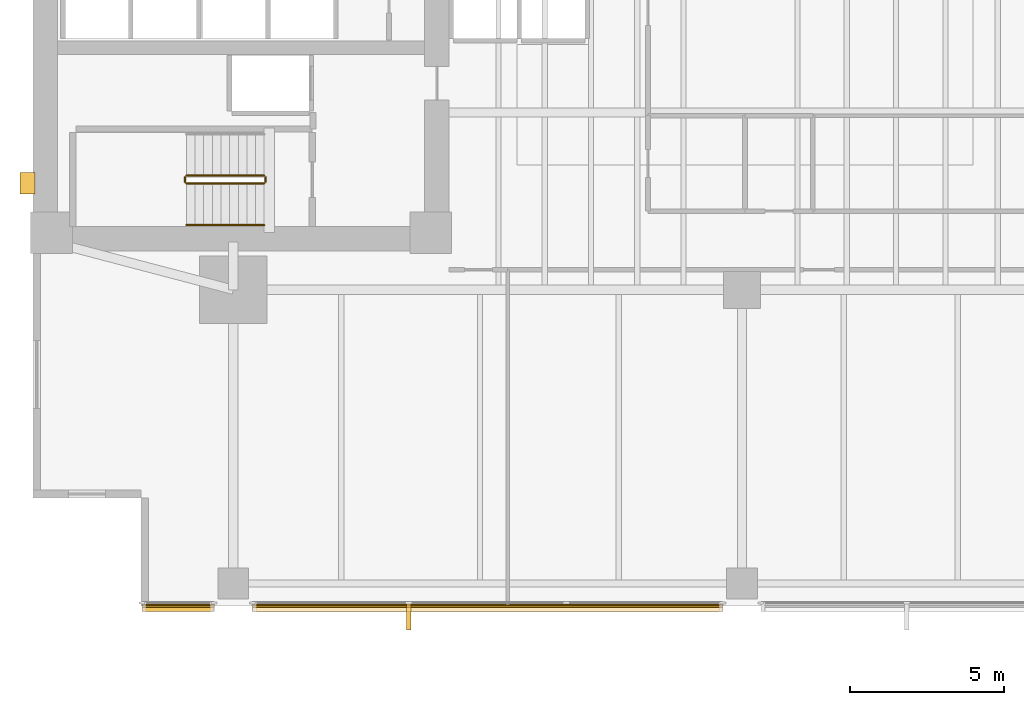
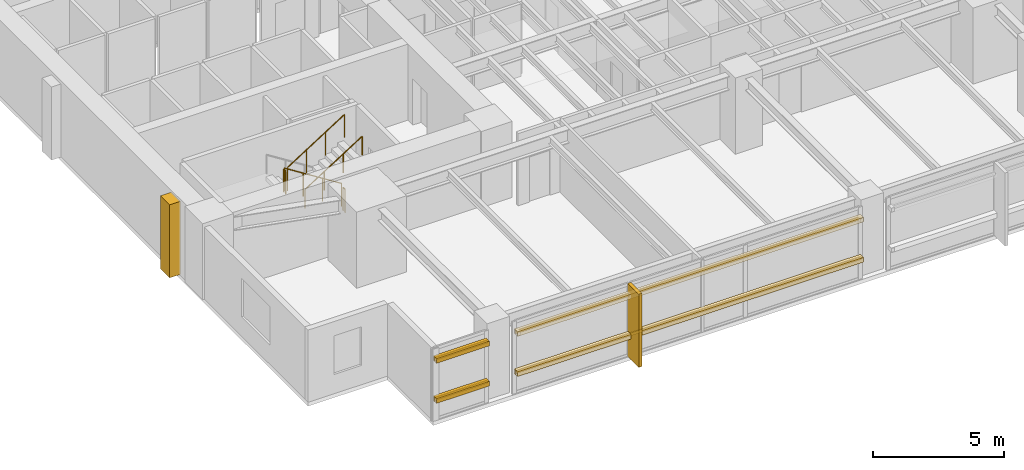
# One storey, part 12 of 15: 6 coverings, 5 railings, 4 shading devices.
"""IFC4 building model written with IfcOpenShell, lengths in metres."""

from ifc_helpers import new_model, si_unit, direction, frame, origin, origin_2d, place, context, subcontext, project, spatial, polyline, rectangle, circle, outline, extrude, material, layer, layer_set, material_profile, profile_set, type_object, element, save


model = new_model("IFC4")

# Units and contexts
model_context = context("Model", 3, precision=1e-05, world=origin(), true_north=direction((0.0, 1.0)))
body_context = subcontext(model_context, "Body", "Model", "MODEL_VIEW")
ifc_project = project(units=[si_unit("LENGTHUNIT", "METRE"), si_unit("AREAUNIT", "SQUARE_METRE"), si_unit("VOLUMEUNIT", "CUBIC_METRE"), si_unit("PLANEANGLEUNIT", "RADIAN"), si_unit("MASSUNIT", "GRAM", prefix="KILO")], contexts=[model_context])

# Site, building, storey
site_placement = place(None, origin())
site = spatial("IfcSite", under=ifc_project, at=site_placement, CompositionType="ELEMENT")
building_placement = place(site_placement, origin())
building = spatial("IfcBuilding", under=site, at=building_placement, Name="Kinhvarn Gate Tower", CompositionType="ELEMENT")
storey_placement = place(building_placement, frame((0.0, 0.0, 54.0)))
storey = spatial("IfcBuildingStorey", under=building, at=storey_placement, Name="L13", CompositionType="ELEMENT", Elevation=54.0)

# Coverings
ifc_material_1 = material(Name="Fired architectural terracotta", Category="masonry")
ifc_layer_1 = layer(ifc_material_1, 0.239990234375)
ifc_layer_set_1 = layer_set([ifc_layer_1], Name="Fired architectural terracotta")
covering_type_1 = type_object("IfcCoveringType", Name="COV-BAG-220", PredefinedType="CLADDING", material=ifc_layer_set_1)
for number, where, name in (
    (1, (0.0, 0.0, 0.93994140625), "Terracotta Horizontal Sunscreen Band TBG-220 (L13)"),
    (2, (0.0, 0.0, 2.81005859375), "Terracotta Horizontal Sunscreen Band TBG-220 (L13)"),
):
    element("IfcCovering", number, at=place(storey_placement, frame(where)), inside=storey, type_object=covering_type_1, Name=name, PredefinedType="CLADDING", context=body_context, shape_type="SweptSolid", body=[
        extrude(outline(polyline([(8.0400390625, 2.56005859375), (10.3798828125, 2.56005859375), (10.3798828125, 2.320068359375), (8.0400390625, 2.320068359375), (8.0400390625, 2.56005859375)])), origin(), (0.0, 0.0, 1.0), 0.219970703125),
    ])
for number, where, name in (
    (3, (0.0, 0.0, 0.93994140625), "Terracotta Horizontal Sunscreen Band TBG-220 (L13)"),
    (4, (0.0, 0.0, 2.81005859375), "Terracotta Horizontal Sunscreen Band TBG-220 (L13)"),
):
    element("IfcCovering", number, at=place(storey_placement, frame(where)), inside=storey, type_object=covering_type_1, Name=name, PredefinedType="CLADDING", context=body_context, shape_type="SweptSolid", body=[
        extrude(outline(polyline([(11.6201171875, 2.56005859375), (26.8798828125, 2.56005859375), (26.8798828125, 2.320068359375), (11.6201171875, 2.320068359375), (11.6201171875, 2.56005859375)])), origin(), (0.0, 0.0, 1.0), 0.219970703125),
    ])
ifc_layer_2 = layer(ifc_material_1, 0.139892578125)
ifc_layer_set_2 = layer_set([ifc_layer_2], Name="Fired architectural terracotta")
covering_type_2 = type_object("IfcCoveringType", Name="COV-FIN-850", PredefinedType="CLADDING", material=ifc_layer_set_2)
covering_1_placement = place(storey_placement, frame((0.0, 0.0, -0.02001953125)))
element("IfcCovering", 5, at=covering_1_placement, inside=storey, type_object=covering_type_2, Name="Vertical Terracotta Expressive Fin TFN-850 (L13)", PredefinedType="CLADDING", context=body_context, shape_type="SweptSolid", body=[
    extrude(outline(polyline([(16.623291015625, 2.570068359375), (16.76318359375, 2.570068359375), (16.76318359375, 1.719970703125), (16.623291015625, 1.719970703125), (16.623291015625, 2.570068359375)])), origin(), (0.0, 0.0, 1.0), 3.409912109375),
])
ifc_material_2 = material(Name="Precast white architectural concrete C40/50", Category="concrete")
ifc_layer_3 = layer(ifc_material_2, 0.47998046875)
ifc_layer_set_3 = layer_set([ifc_layer_3], Name="Precast white architectural concrete C40/50")
covering_type_3 = type_object("IfcCoveringType", Name="COV-RIB-450", PredefinedType="CLADDING", material=ifc_layer_set_3)
covering_2_placement = place(storey_placement, frame((0.0, 0.0, -0.02001953125)))
element("IfcCovering", 6, at=covering_2_placement, inside=storey, type_object=covering_type_3, Name="West Core Sculptural Concrete Relief Rib CRB-450 (L13)", PredefinedType="CLADDING", context=body_context, shape_type="SweptSolid", body=[
    extrude(outline(polyline([(4.080078125, 15.85009765625), (4.56005859375, 15.85009765625), (4.56005859375, 16.550048828125), (4.080078125, 16.550048828125), (4.080078125, 15.85009765625)])), origin(), (0.0, 0.0, 1.0), 3.409912109375),
])

# Railings
ifc_material_3 = material(Name="Steel S355", Category="steel")
railing_type_1 = type_object("IfcRailingType", Name="RL-ST-GRD", PredefinedType="BALUSTRADE", material=ifc_material_3)
railing_1_placement = place(storey_placement, frame((12.0, 16.449951171875, 0.177490234375)))
element("IfcRailing", 7, at=railing_1_placement, inside=storey, type_object=railing_type_1, Name="L13 ST1 stair guard 1", PredefinedType="BALUSTRADE", context=body_context, shape_type="SweptSolid", body=[
    extrude(circle(Radius=0.02392578125, at=origin_2d()), frame((0.0, 0.0, 1.076171875), z_axis=(-0.84460694969, 0.0, 0.535386869969), x_axis=(0.0, -1.0, 0.0)), (0.0, 0.0, 1.0), 2.983642578125),
    extrude(circle(Radius=0.02099609375, at=origin_2d()), origin(), (0.0, 0.0, 1.0), 1.052001953125),
    extrude(circle(Radius=0.02099609375, at=origin_2d()), frame((-0.840087890625, 0.0, 0.532470703125)), (0.0, 0.0, 1.0), 1.052001953125),
    extrude(circle(Radius=0.02099609375, at=origin_2d()), frame((-1.679931640625, 0.0, 1.06494140625)), (0.0, 0.0, 1.0), 1.052001953125),
    extrude(circle(Radius=0.02099609375, at=origin_2d()), frame((-2.52001953125, 0.0, 1.597412109375)), (0.0, 0.0, 1.0), 1.052001953125),
])
railing_2_placement = place(storey_placement, frame((9.429931640625, 16.39990234375, 1.77490234375)))
element("IfcRailing", 8, at=railing_2_placement, inside=storey, type_object=railing_type_1, Name="L13 ST1 stair guard 2", PredefinedType="BALUSTRADE", context=body_context, shape_type="SweptSolid", body=[
    extrude(circle(Radius=0.02392578125, at=origin_2d()), frame((0.0, 0.0, 1.076171875), z_axis=(0.0, -1.0, 0.0), x_axis=(1.0, 0.0, 0.0)), (0.0, 0.0, 1.0), 0.14990234375),
    extrude(circle(Radius=0.02099609375, at=origin_2d()), origin(), (0.0, 0.0, 1.0), 1.052001953125),
    extrude(circle(Radius=0.02099609375, at=origin_2d()), frame((0.0, -0.14990234375, 0.0)), (0.0, 0.0, 1.0), 1.052001953125),
])
railing_3_placement = place(storey_placement, frame((9.47998046875, 16.199951171875, 1.952392578125)))
element("IfcRailing", 9, at=railing_3_placement, inside=storey, type_object=railing_type_1, Name="L13 ST1 stair guard 3", PredefinedType="BALUSTRADE", context=body_context, shape_type="SweptSolid", body=[
    extrude(circle(Radius=0.02392578125, at=origin_2d()), frame((0.0, 0.0, 1.076171875), z_axis=(0.84456994832, 0.0, 0.535445237532), x_axis=(0.0, 1.0, 0.0)), (0.0, 0.0, 1.0), 2.98388671875),
    extrude(circle(Radius=0.02099609375, at=origin_2d()), origin(), (0.0, 0.0, 1.0), 1.052001953125),
    extrude(circle(Radius=0.02099609375, at=origin_2d()), frame((0.840087890625, 0.0, 0.532470703125)), (0.0, 0.0, 1.0), 1.052001953125),
    extrude(circle(Radius=0.02099609375, at=origin_2d()), frame((1.679931640625, 0.0, 1.065185546875)), (0.0, 0.0, 1.0), 1.052001953125),
    extrude(circle(Radius=0.02099609375, at=origin_2d()), frame((2.52001953125, 0.0, 1.59765625)), (0.0, 0.0, 1.0), 1.052001953125),
])
railing_4_placement = place(storey_placement, frame((12.050048828125, 16.39990234375, 0.0)))
element("IfcRailing", 10, at=railing_4_placement, inside=storey, type_object=railing_type_1, Name="L13 ST1 stair guard 4", PredefinedType="BALUSTRADE", context=body_context, shape_type="SweptSolid", body=[
    extrude(circle(Radius=0.02392578125, at=origin_2d()), frame((0.0, 0.0, 1.076171875), z_axis=(0.0, -1.0, 0.0), x_axis=(1.0, 0.0, 0.0)), (0.0, 0.0, 1.0), 0.14990234375),
    extrude(circle(Radius=0.02099609375, at=origin_2d()), origin(), (0.0, 0.0, 1.0), 1.052001953125),
    extrude(circle(Radius=0.02099609375, at=origin_2d()), frame((0.0, -0.14990234375, 0.0)), (0.0, 0.0, 1.0), 1.052001953125),
])
railing_type_2 = type_object("IfcRailingType", Name="RL-ST-HND", PredefinedType="HANDRAIL", material=ifc_material_3)
railing_5_placement = place(storey_placement, frame((9.47998046875, 14.85009765625, 1.952392578125)))
element("IfcRailing", 11, at=railing_5_placement, inside=storey, type_object=railing_type_2, Name="L13 ST1 stair handrail 2", PredefinedType="HANDRAIL", context=body_context, shape_type="SweptSolid", body=[
    extrude(circle(Radius=0.02392578125, at=origin_2d()), frame((0.0, 0.0, 0.8759765625), z_axis=(0.84456994832, 0.0, 0.535445237532), x_axis=(0.0, 1.0, 0.0)), (0.0, 0.0, 1.0), 2.98388671875),
    extrude(circle(Radius=0.02099609375, at=origin_2d()), origin(), (0.0, 0.0, 1.0), 0.851806640625),
    extrude(circle(Radius=0.02099609375, at=origin_2d()), frame((0.840087890625, 0.0, 0.532470703125)), (0.0, 0.0, 1.0), 0.851806640625),
    extrude(circle(Radius=0.02099609375, at=origin_2d()), frame((1.679931640625, 0.0, 1.065185546875)), (0.0, 0.0, 1.0), 0.851806640625),
    extrude(circle(Radius=0.02099609375, at=origin_2d()), frame((2.52001953125, 0.0, 1.59765625)), (0.0, 0.0, 1.0), 0.851806640625),
])

# Shading devices
ifc_material_profile = material_profile(ifc_material_1, rectangle(XDim=0.06005859375, YDim=0.139892578125, at=origin_2d()), Name="TC 60x140")
ifc_profile_set = profile_set([ifc_material_profile], Name="Fired architectural terracotta")
shading_device_type = type_object("IfcShadingDeviceType", Name="SHD-BAG-180", PredefinedType="USERDEFINED", material=ifc_profile_set)
for number, where, z_axis, x_axis, name in (
    (12, (8.0400390625, 2.485107421875, 1.050048828125), (1.0, 0.0, 0.0), (0.0, 1.0, 0.0), "Fired Terracotta Baguette Screen Rod 60x140 mm (L13)"),
    (13, (8.0400390625, 2.485107421875, 2.919921875), (1.0, 0.0, 0.0), (0.0, 1.0, 0.0), "Fired Terracotta Baguette Screen Rod 60x140 mm (L13)"),
):
    element("IfcShadingDevice", number, at=place(storey_placement, frame(where, z_axis=z_axis, x_axis=x_axis)), inside=storey, type_object=shading_device_type, Name=name, ObjectType="BAGUETTE", PredefinedType="USERDEFINED", context=body_context, shape_type="SweptSolid", body=[
        extrude(rectangle(XDim=0.06005859375, YDim=0.139892578125, at=origin_2d()), origin(), (0.0, 0.0, 1.0), 2.33984375),
    ])
for number, where, z_axis, x_axis, name in (
    (14, (11.6201171875, 2.485107421875, 1.050048828125), (1.0, 0.0, 0.0), (0.0, 1.0, 0.0), "Fired Terracotta Baguette Screen Rod 60x140 mm (L13)"),
    (15, (11.6201171875, 2.485107421875, 2.919921875), (1.0, 0.0, 0.0), (0.0, 1.0, 0.0), "Fired Terracotta Baguette Screen Rod 60x140 mm (L13)"),
):
    element("IfcShadingDevice", number, at=place(storey_placement, frame(where, z_axis=z_axis, x_axis=x_axis)), inside=storey, type_object=shading_device_type, Name=name, ObjectType="BAGUETTE", PredefinedType="USERDEFINED", context=body_context, shape_type="SweptSolid", body=[
        extrude(rectangle(XDim=0.06005859375, YDim=0.139892578125, at=origin_2d()), origin(), (0.0, 0.0, 1.0), 15.259765625),
    ])

save(model, "model.ifc")
